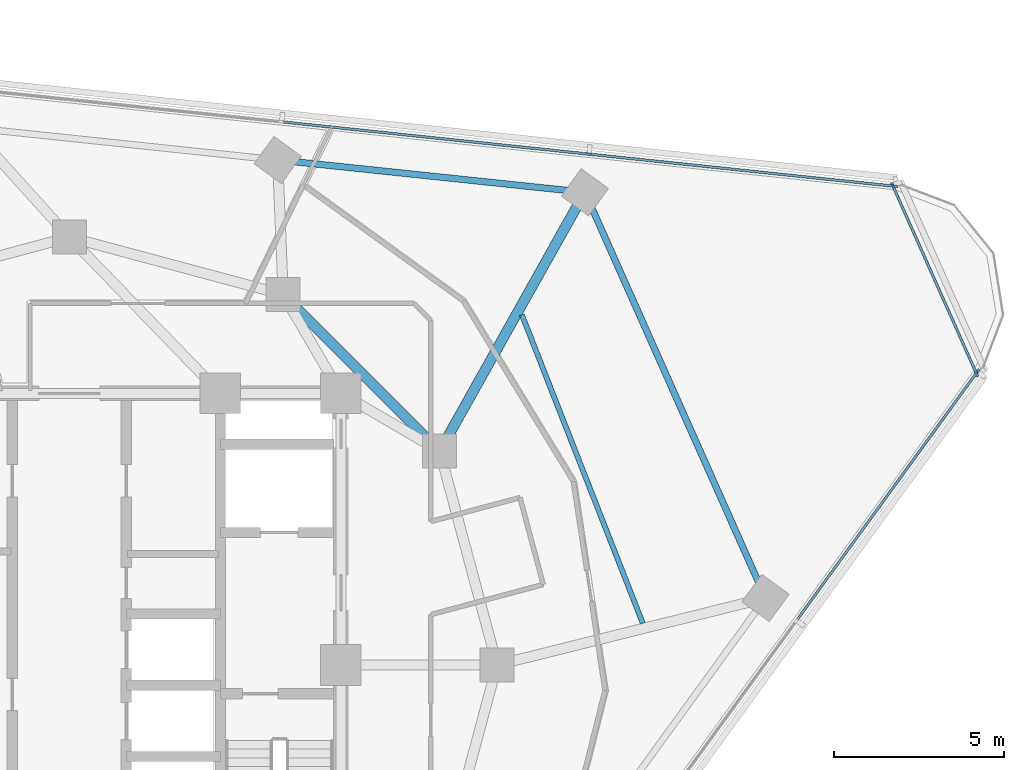
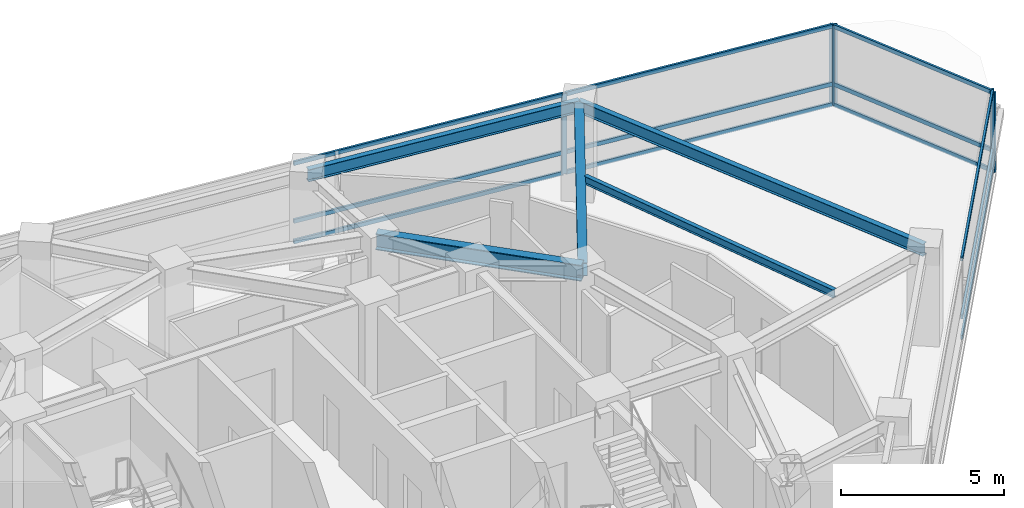
# One storey, part 6 of 15: 17 members, 5 beams, 3 elements without a shape of their own.
"""IFC4 building model written with IfcOpenShell, lengths in metres."""

from ifc_helpers import new_model, si_unit, direction, frame, origin, origin_2d, place, context, subcontext, project, spatial, rectangle, i_section, extrude, material, layer, layer_set, material_profile, profile_set, type_object, element, aggregate, save


model = new_model("IFC4")

# Units and contexts
model_context = context("Model", 3, precision=1e-05, world=origin(), true_north=direction((0.0, 1.0)))
body_context = subcontext(model_context, "Body", "Model", "MODEL_VIEW")
ifc_project = project(units=[si_unit("LENGTHUNIT", "METRE"), si_unit("AREAUNIT", "SQUARE_METRE"), si_unit("VOLUMEUNIT", "CUBIC_METRE"), si_unit("PLANEANGLEUNIT", "RADIAN"), si_unit("MASSUNIT", "GRAM", prefix="KILO")], contexts=[model_context])

# Site, building, storey
site_placement = place(None, origin())
site = spatial("IfcSite", under=ifc_project, at=site_placement, CompositionType="ELEMENT")
building_placement = place(site_placement, origin())
building = spatial("IfcBuilding", under=site, at=building_placement, Name="Terralouvre Media Tower", CompositionType="ELEMENT")
storey_placement = place(building_placement, frame((0.0, 0.0, 233.699951171875)))
storey = spatial("IfcBuildingStorey", under=building, at=storey_placement, Name="L60", CompositionType="ELEMENT", Elevation=233.699951171875)

# Beam
ifc_material_1 = material(Name="Structural steel S355J2", Category="steel")
ifc_material_profile_1 = material_profile(ifc_material_1, i_section(OverallWidth=0.14990234375, OverallDepth=0.300048828125, WebThickness=0.007080078125, FlangeThickness=0.0107421875, at=origin_2d()), Name="IPE 300")
ifc_profile_set_1 = profile_set([ifc_material_profile_1], Name="Structural steel S355J2")
beam_type_1 = type_object("IfcBeamType", Name="Composite Floor Joist J-IPE300 (IPE 300)", PredefinedType="JOIST", material=ifc_profile_set_1)
beam_1_placement = place(storey_placement, frame((16.89599609375, 1.2236328125, 3.35009765625), z_axis=(-0.364828295423, 0.931074817004, 0.0), x_axis=(-0.931074817004, -0.364828295423, 0.0)))
element("IfcBeam", 1, at=beam_1_placement, inside=storey, type_object=beam_type_1, Name="L60 Framing Beam JT-L60-03", PredefinedType="JOIST", context=body_context, shape_type="SweptSolid", body=[
    extrude(i_section(OverallWidth=0.14990234375, OverallDepth=0.300048828125, WebThickness=0.007080078125, FlangeThickness=0.0107421875, at=origin_2d()), origin(), (0.0, 0.0, 1.0), 9.763427734375),
])

# Curtain wall, members
ifc_material_2 = material(Name="Low-iron laminated double glazing with solar-control coating", Category="glass")
ifc_layer_1 = layer(ifc_material_2, 0.1650390625, Name="Upper Executive Tower Curtain Wall CW-05")
ifc_layer_set_1 = layer_set([ifc_layer_1], Name="Low-iron laminated double glazing with solar-control coating")
curtain_wall_type_1 = type_object("IfcCurtainWallType", Name="Upper Executive Tower Curtain Wall CW-05", PredefinedType="NOTDEFINED", material=ifc_layer_set_1)
curtain_wall_1_placement = place(storey_placement, origin())
curtain_wall_1 = element("IfcCurtainWall", 2, at=curtain_wall_1_placement, inside=storey, type_object=curtain_wall_type_1, Name="L60 Facade Curtain Wall F0", PredefinedType="NOTDEFINED")
ifc_material_3 = material(Name="Anodised extruded aluminium 6063-T6", Category="aluminium")
ifc_material_profile_2 = material_profile(ifc_material_3, rectangle(XDim=0.074951171875, YDim=0.14990234375, at=origin_2d()), Name="ALU 75x150")
ifc_profile_set_2 = profile_set([ifc_material_profile_2], Name="Anodised extruded aluminium 6063-T6")
member_type_1 = type_object("IfcMemberType", Name="Curtain-Wall Horizontal Transom TR-150", PredefinedType="USERDEFINED", material=ifc_profile_set_2)
member_1_placement = place(storey_placement, frame((21.446533203125, 1.3369140625, 0.03759765625), z_axis=(0.587787215692, 0.809015567878, 0.0), x_axis=(-0.809015567878, 0.587787215692, 0.0)))
member_1 = element("IfcMember", 3, at=member_1_placement, type_object=member_type_1, Name="CW-05 transom 5.1", ObjectType="TRANSOM", PredefinedType="USERDEFINED", context=body_context, shape_type="SweptSolid", body=[
    extrude(rectangle(XDim=0.074951171875, YDim=0.14990234375, at=origin_2d()), origin(), (0.0, 0.0, 1.0), 8.987548828125),
])
member_2_placement = place(storey_placement, frame((21.446533203125, 1.3369140625, 0.800048828125), z_axis=(0.587787215692, 0.809015567878, 0.0), x_axis=(-0.809015567878, 0.587787215692, 0.0)))
member_2 = element("IfcMember", 4, at=member_2_placement, type_object=member_type_1, Name="CW-05 transom 5.2", ObjectType="TRANSOM", PredefinedType="USERDEFINED", context=body_context, shape_type="SweptSolid", body=[
    extrude(rectangle(XDim=0.074951171875, YDim=0.14990234375, at=origin_2d()), origin(), (0.0, 0.0, 1.0), 8.987548828125),
])
member_3_placement = place(storey_placement, frame((21.446533203125, 1.3369140625, 2.962646484375), z_axis=(0.587787215692, 0.809015567878, 0.0), x_axis=(-0.809015567878, 0.587787215692, 0.0)))
member_3 = element("IfcMember", 5, at=member_3_placement, type_object=member_type_1, Name="CW-05 transom 5.3", ObjectType="TRANSOM", PredefinedType="USERDEFINED", context=body_context, shape_type="SweptSolid", body=[
    extrude(rectangle(XDim=0.074951171875, YDim=0.14990234375, at=origin_2d()), origin(), (0.0, 0.0, 1.0), 8.987548828125),
])

curtain_wall_2_placement = place(storey_placement, origin())
curtain_wall_2 = element("IfcCurtainWall", 6, at=curtain_wall_2_placement, inside=storey, type_object=curtain_wall_type_1, Name="L60 Facade Curtain Wall F1", PredefinedType="NOTDEFINED")
member_4_placement = place(storey_placement, frame((24.2822265625, 14.103759765625, 0.03759765625), z_axis=(-0.994521813919, 0.104529238206, 0.0), x_axis=(-0.104529238206, -0.994521813919, 0.0)))
member_4 = element("IfcMember", 7, at=member_4_placement, type_object=member_type_1, Name="CW-05 transom 1.1", ObjectType="TRANSOM", PredefinedType="USERDEFINED", context=body_context, shape_type="SweptSolid", body=[
    extrude(rectangle(XDim=0.074951171875, YDim=0.14990234375, at=origin_2d()), origin(), (0.0, 0.0, 1.0), 8.987548828125),
])
member_5_placement = place(storey_placement, frame((24.2822265625, 14.103759765625, 0.800048828125), z_axis=(-0.994521813919, 0.104529238206, 0.0), x_axis=(-0.104529238206, -0.994521813919, 0.0)))
member_5 = element("IfcMember", 8, at=member_5_placement, type_object=member_type_1, Name="CW-05 transom 1.2", ObjectType="TRANSOM", PredefinedType="USERDEFINED", context=body_context, shape_type="SweptSolid", body=[
    extrude(rectangle(XDim=0.074951171875, YDim=0.14990234375, at=origin_2d()), origin(), (0.0, 0.0, 1.0), 8.987548828125),
])
member_6_placement = place(storey_placement, frame((24.2822265625, 14.103759765625, 2.962646484375), z_axis=(-0.994521813919, 0.104529238206, 0.0), x_axis=(-0.104529238206, -0.994521813919, 0.0)))
member_6 = element("IfcMember", 9, at=member_6_placement, type_object=member_type_1, Name="CW-05 transom 1.3", ObjectType="TRANSOM", PredefinedType="USERDEFINED", context=body_context, shape_type="SweptSolid", body=[
    extrude(rectangle(XDim=0.074951171875, YDim=0.14990234375, at=origin_2d()), origin(), (0.0, 0.0, 1.0), 8.987548828125),
])
member_7_placement = place(storey_placement, frame((15.26953125, 15.051025390625, 0.03759765625), z_axis=(-0.994522041896, 0.104527069141, 0.0), x_axis=(-0.104527069141, -0.994522041896, 0.0)))
member_7 = element("IfcMember", 10, at=member_7_placement, type_object=member_type_1, Name="CW-05 transom 2.1", ObjectType="TRANSOM", PredefinedType="USERDEFINED", context=body_context, shape_type="SweptSolid", body=[
    extrude(rectangle(XDim=0.074951171875, YDim=0.14990234375, at=origin_2d()), origin(), (0.0, 0.0, 1.0), 9.025146484375),
])
member_8_placement = place(storey_placement, frame((15.26953125, 15.051025390625, 0.800048828125), z_axis=(-0.994522041896, 0.104527069141, 0.0), x_axis=(-0.104527069141, -0.994522041896, 0.0)))
member_8 = element("IfcMember", 11, at=member_8_placement, type_object=member_type_1, Name="CW-05 transom 2.2", ObjectType="TRANSOM", PredefinedType="USERDEFINED", context=body_context, shape_type="SweptSolid", body=[
    extrude(rectangle(XDim=0.074951171875, YDim=0.14990234375, at=origin_2d()), origin(), (0.0, 0.0, 1.0), 9.025146484375),
])
member_9_placement = place(storey_placement, frame((15.26953125, 15.051025390625, 2.962646484375), z_axis=(-0.994522041896, 0.104527069141, 0.0), x_axis=(-0.104527069141, -0.994522041896, 0.0)))
member_9 = element("IfcMember", 12, at=member_9_placement, type_object=member_type_1, Name="CW-05 transom 2.3", ObjectType="TRANSOM", PredefinedType="USERDEFINED", context=body_context, shape_type="SweptSolid", body=[
    extrude(rectangle(XDim=0.074951171875, YDim=0.14990234375, at=origin_2d()), origin(), (0.0, 0.0, 1.0), 9.025146484375),
])

ifc_material_4 = material(Name="Low-iron laminated double glazing with solar-control coating", Category="glass")
ifc_layer_2 = layer(ifc_material_4, 0.1650390625, Name="Rounded Wind-Corner Curved Glazing CW-04")
ifc_layer_set_2 = layer_set([ifc_layer_2], Name="Low-iron laminated double glazing with solar-control coating")
curtain_wall_type_2 = type_object("IfcCurtainWallType", Name="Rounded Wind-Corner Curved Glazing CW-04", PredefinedType="NOTDEFINED", material=ifc_layer_set_2)
curtain_wall_3_placement = place(storey_placement, origin())
curtain_wall_3 = element("IfcCurtainWall", 13, at=curtain_wall_3_placement, inside=storey, type_object=curtain_wall_type_2, Name="L60 Rounded Wind-Corner Curtain Wall C1", PredefinedType="NOTDEFINED")
member_10_placement = place(storey_placement, frame((26.7119140625, 8.609619140625, 0.03759765625), z_axis=(-0.406735002592, 0.913546188031, 0.0), x_axis=(-0.913546188031, -0.406735002592, 0.0)))
member_10 = element("IfcMember", 14, at=member_10_placement, type_object=member_type_1, Name="CW-04 transom 1.1", ObjectType="TRANSOM", PredefinedType="USERDEFINED", context=body_context, shape_type="SweptSolid", body=[
    extrude(rectangle(XDim=0.074951171875, YDim=0.14990234375, at=origin_2d()), origin(), (0.0, 0.0, 1.0), 5.998779296875),
])
member_11_placement = place(storey_placement, frame((26.7119140625, 8.609619140625, 0.800048828125), z_axis=(-0.406735002592, 0.913546188031, 0.0), x_axis=(-0.913546188031, -0.406735002592, 0.0)))
member_11 = element("IfcMember", 15, at=member_11_placement, type_object=member_type_1, Name="CW-04 transom 1.2", ObjectType="TRANSOM", PredefinedType="USERDEFINED", context=body_context, shape_type="SweptSolid", body=[
    extrude(rectangle(XDim=0.074951171875, YDim=0.14990234375, at=origin_2d()), origin(), (0.0, 0.0, 1.0), 5.998779296875),
])
member_12_placement = place(storey_placement, frame((26.7119140625, 8.609619140625, 2.962646484375), z_axis=(-0.406735002592, 0.913546188031, 0.0), x_axis=(-0.913546188031, -0.406735002592, 0.0)))
member_12 = element("IfcMember", 16, at=member_12_placement, type_object=member_type_1, Name="CW-04 transom 1.3", ObjectType="TRANSOM", PredefinedType="USERDEFINED", context=body_context, shape_type="SweptSolid", body=[
    extrude(rectangle(XDim=0.074951171875, YDim=0.14990234375, at=origin_2d()), origin(), (0.0, 0.0, 1.0), 5.998779296875),
])

# Member
ifc_material_5 = material(Name="Anodised extruded aluminium 6063-T6", Category="aluminium")
ifc_material_profile_3 = material_profile(ifc_material_5, rectangle(XDim=0.074951171875, YDim=0.179931640625, at=origin_2d()), Name="ALU 75x180")
ifc_profile_set_3 = profile_set([ifc_material_profile_3], Name="Anodised extruded aluminium 6063-T6")
member_type_2 = type_object("IfcMemberType", Name="Curtain-Wall Vertical Mullion ML-180", PredefinedType="MULLION", material=ifc_profile_set_3)
member_13_placement = place(storey_placement, frame((26.751220703125, 8.63818359375, 0.0), z_axis=(0.0, 0.0, 1.0), x_axis=(-0.809016959074, 0.587785300879, 0.0)))
member_13 = element("IfcMember", 17, at=member_13_placement, type_object=member_type_2, Name="CW-05 mullion 6", PredefinedType="MULLION", context=body_context, shape_type="SweptSolid", body=[
    extrude(rectangle(XDim=0.074951171875, YDim=0.179931640625, at=origin_2d()), origin(), (0.0, 0.0, 1.0), 3.0),
])

aggregate(curtain_wall_1, [member_13, member_1, member_2, member_3])

member_14_placement = place(storey_placement, frame((24.319580078125, 14.099853515625, 0.0), z_axis=(0.0, 0.0, 1.0), x_axis=(-0.104528561651, -0.994521885028, 0.0)))
member_14 = element("IfcMember", 18, at=member_14_placement, type_object=member_type_2, Name="CW-05 mullion 1", PredefinedType="MULLION", context=body_context, shape_type="SweptSolid", body=[
    extrude(rectangle(XDim=0.074951171875, YDim=0.179931640625, at=origin_2d()), origin(), (0.0, 0.0, 1.0), 3.0),
])

member_15_placement = place(storey_placement, frame((15.306640625, 15.047119140625, 0.0), z_axis=(0.0, 0.0, 1.0), x_axis=(-0.104528561651, -0.994521885028, 0.0)))
member_15 = element("IfcMember", 19, at=member_15_placement, type_object=member_type_2, Name="CW-05 mullion 2", PredefinedType="MULLION", context=body_context, shape_type="SweptSolid", body=[
    extrude(rectangle(XDim=0.074951171875, YDim=0.179931640625, at=origin_2d()), origin(), (0.0, 0.0, 1.0), 3.0),
])

aggregate(curtain_wall_2, [member_14, member_15, member_4, member_5, member_6, member_7, member_8, member_9])

member_16_placement = place(storey_placement, frame((26.727294921875, 8.575439453125, 0.0), z_axis=(0.0, 0.0, 1.0), x_axis=(-0.913545102243, -0.406737441315, 0.0)))
member_16 = element("IfcMember", 20, at=member_16_placement, type_object=member_type_2, Name="CW-04 mullion 1", PredefinedType="MULLION", context=body_context, shape_type="SweptSolid", body=[
    extrude(rectangle(XDim=0.074951171875, YDim=0.179931640625, at=origin_2d()), origin(), (0.0, 0.0, 1.0), 3.0),
])

member_17_placement = place(storey_placement, frame((24.2568359375, 14.1240234375, 0.0), z_axis=(0.0, 0.0, 1.0), x_axis=(-0.913545102243, -0.406737441315, 0.0)))
member_17 = element("IfcMember", 21, at=member_17_placement, type_object=member_type_2, Name="CW-04 mullion 2", PredefinedType="MULLION", context=body_context, shape_type="SweptSolid", body=[
    extrude(rectangle(XDim=0.074951171875, YDim=0.179931640625, at=origin_2d()), origin(), (0.0, 0.0, 1.0), 3.0),
])

aggregate(curtain_wall_3, [member_16, member_17, member_10, member_11, member_12])

# Beams
ifc_material_6 = material(Name="Structural steel S355J2", Category="steel")
ifc_material_profile_4 = material_profile(ifc_material_6, i_section(OverallWidth=0.18994140625, OverallDepth=0.449951171875, WebThickness=0.009521484375, FlangeThickness=0.0146484375, at=origin_2d()), Name="IPE 450")
ifc_profile_set_4 = profile_set([ifc_material_profile_4], Name="Structural steel S355J2")
beam_type_2 = type_object("IfcBeamType", Name="Perimeter Spandrel Beam SPB-450 (IPE 450)", PredefinedType="SPANDREL", material=ifc_profile_set_4)
beam_2_placement = place(storey_placement, frame((20.51025390625, 1.970703125, 3.275146484375), z_axis=(-0.406744336382, 0.913542032323, 0.0), x_axis=(-0.913542032323, -0.406744336382, 0.0)))
element("IfcBeam", 22, at=beam_2_placement, inside=storey, type_object=beam_type_2, Name="L60 Framing Beam BM-L60-PR07", PredefinedType="SPANDREL", context=body_context, shape_type="SweptSolid", body=[
    extrude(i_section(OverallWidth=0.18994140625, OverallDepth=0.449951171875, WebThickness=0.009521484375, FlangeThickness=0.0146484375, at=origin_2d()), origin(), (0.0, 0.0, 1.0), 13.083740234375),
])
beam_3_placement = place(storey_placement, frame((15.1884765625, 13.92333984375, 3.275146484375), z_axis=(-0.994522199081, 0.104525573596, 0.0), x_axis=(-0.104525573596, -0.994522199081, 0.0)))
element("IfcBeam", 23, at=beam_3_placement, inside=storey, type_object=beam_type_2, Name="L60 Framing Beam BM-L60-PR08", PredefinedType="SPANDREL", context=body_context, shape_type="SweptSolid", body=[
    extrude(i_section(OverallWidth=0.18994140625, OverallDepth=0.449951171875, WebThickness=0.009521484375, FlangeThickness=0.0146484375, at=origin_2d()), origin(), (0.0, 0.0, 1.0), 9.099853515625),
])
ifc_material_7 = material(Name="Structural steel S355J2", Category="steel")
ifc_material_profile_5 = material_profile(ifc_material_7, i_section(OverallWidth=0.300048828125, OverallDepth=0.5, WebThickness=0.014404296875, FlangeThickness=0.028076171875, at=origin_2d()), Name="HEB 500")
ifc_profile_set_5 = profile_set([ifc_material_profile_5], Name="Structural steel S355J2")
beam_type_3 = type_object("IfcBeamType", Name="Primary Floor Girder B-HEB500 (HEB 500)", PredefinedType="BEAM", material=ifc_profile_set_5)
beam_4_placement = place(storey_placement, frame((10.911865234375, 6.300048828125, 3.25), z_axis=(0.489262374018, 0.872136646042, 0.0), x_axis=(-0.872136646042, 0.489262374018, 0.0)))
element("IfcBeam", 24, at=beam_4_placement, inside=storey, type_object=beam_type_3, Name="L60 Framing Beam BM-L60-RD08", PredefinedType="BEAM", context=body_context, shape_type="SweptSolid", body=[
    extrude(i_section(OverallWidth=0.300048828125, OverallDepth=0.5, WebThickness=0.014404296875, FlangeThickness=0.028076171875, at=origin_2d()), origin(), (0.0, 0.0, 1.0), 8.740966796875),
])
ifc_material_8 = material(Name="Structural steel S460M", Category="steel")
ifc_material_profile_6 = material_profile(ifc_material_8, i_section(OverallWidth=0.300048828125, OverallDepth=0.60009765625, WebThickness=0.015380859375, FlangeThickness=0.030029296875, at=origin_2d()), Name="HEB 600")
ifc_profile_set_6 = profile_set([ifc_material_profile_6], Name="Structural steel S460M")
beam_type_4 = type_object("IfcBeamType", Name="Primary Floor Girder B-HEB600 (HEB 600)", PredefinedType="BEAM", material=ifc_profile_set_6)
beam_5_placement = place(storey_placement, frame((10.911865234375, 6.300048828125, 3.199951171875), z_axis=(-0.707106781187, 0.707106781187, 0.0), x_axis=(-0.707106781187, -0.707106781187, 0.0)))
element("IfcBeam", 25, at=beam_5_placement, inside=storey, type_object=beam_type_4, Name="L60 Framing Beam BM-L60-MR07", PredefinedType="BEAM", context=body_context, shape_type="SweptSolid", body=[
    extrude(i_section(OverallWidth=0.300048828125, OverallDepth=0.60009765625, WebThickness=0.015380859375, FlangeThickness=0.030029296875, at=origin_2d()), origin(), (0.0, 0.0, 1.0), 6.52197265625),
])

save(model, "model.ifc")
